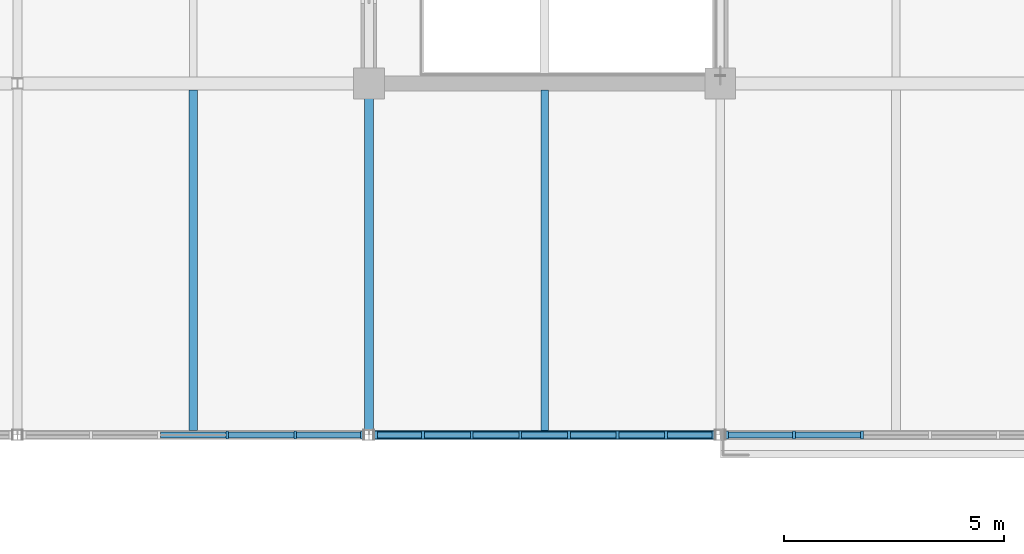
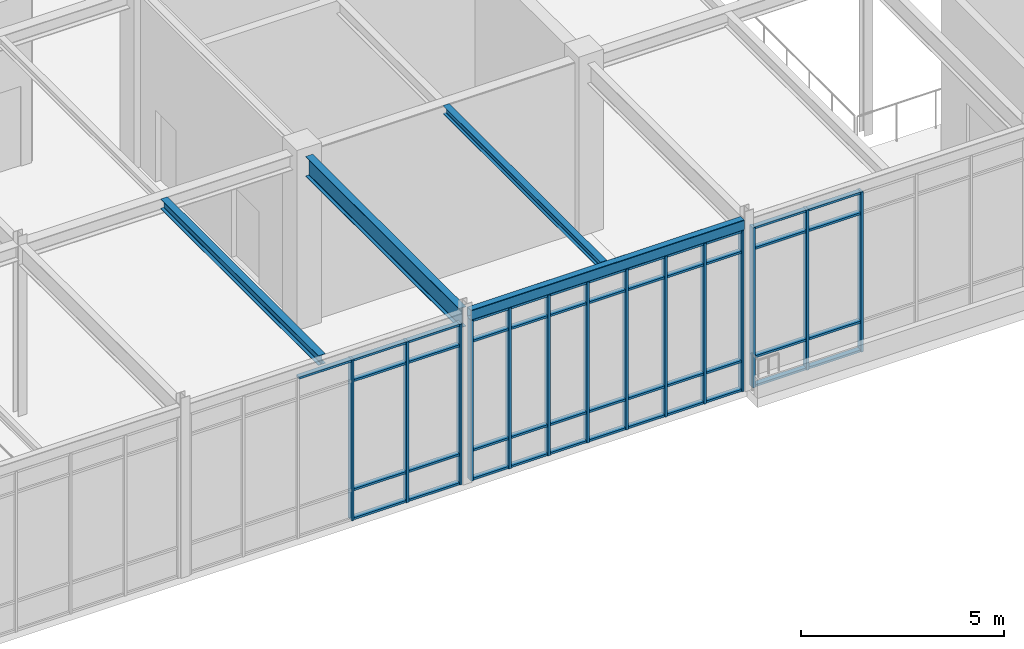
# One storey, part 52 of 184: 59 members, 4 beams, 3 elements without a shape of their own.
"""IFC4 building model written with IfcOpenShell, lengths in metres."""

from ifc_helpers import new_model, si_unit, direction, frame, origin, origin_2d, place, context, subcontext, project, spatial, rectangle, hollow_rectangle, i_section, extrude, material, material_profile, profile_set, type_object, element, aggregate, save


model = new_model("IFC4")

# Units and contexts
model_context = context("Model", 3, precision=1e-05, world=origin(), true_north=direction((0.0, 1.0)))
body_context = subcontext(model_context, "Body", "Model", "MODEL_VIEW")
ifc_project = project(units=[si_unit("LENGTHUNIT", "METRE"), si_unit("AREAUNIT", "SQUARE_METRE"), si_unit("VOLUMEUNIT", "CUBIC_METRE"), si_unit("PLANEANGLEUNIT", "RADIAN"), si_unit("MASSUNIT", "GRAM", prefix="KILO")], contexts=[model_context])

# Site, building, storey
site_placement = place(None, origin())
site = spatial("IfcSite", under=ifc_project, at=site_placement, CompositionType="ELEMENT")
building_placement = place(site_placement, origin())
building = spatial("IfcBuilding", under=site, at=building_placement, Name="Zhaolan Boulevard Law Courts", CompositionType="ELEMENT")
storey_placement = place(building_placement, frame((0.0, 0.0, 5.39990234375)))
storey = spatial("IfcBuildingStorey", under=building, at=storey_placement, Name="L01", CompositionType="ELEMENT", Elevation=5.39990234375)

# Curtain wall, members
ifc_material_1 = material(Name="Thermally broken aluminium and low-E glazing", Category="aluminium")
curtain_wall_type_1 = type_object("IfcCurtainWallType", Name="CURTAIN WALL M17", PredefinedType="USERDEFINED", material=ifc_material_1)
curtain_wall_1_placement = place(storey_placement, origin())
curtain_wall_1 = element("IfcCurtainWall", 1, at=curtain_wall_1_placement, inside=storey, type_object=curtain_wall_type_1, Name="Curtain Wall CW-L01-041", ObjectType="CURTAIN WALL", PredefinedType="USERDEFINED")
ifc_material_2 = material(Name="Fluorocarbon-coated aluminium 6063-T6", Category="aluminium")
ifc_material_profile_1 = material_profile(ifc_material_2, rectangle(XDim=0.179931640625, YDim=0.06494140625, at=origin_2d()), Name="AL65x180")
ifc_profile_set_1 = profile_set([ifc_material_profile_1], Name="Fluorocarbon-coated aluminium 6063-T6")
member_type_1 = type_object("IfcMemberType", Name="CWMULLION 65X180", PredefinedType="MULLION", material=ifc_profile_set_1)
member_1_placement = place(storey_placement, frame((112.774658203125, 6.0, 0.0), z_axis=(0.0, 0.0, 1.0), x_axis=(0.0, 1.0, 0.0)))
member_1 = element("IfcMember", 2, at=member_1_placement, type_object=member_type_1, Name="CW-L01-041 mullion 4", PredefinedType="MULLION", context=body_context, shape_type="SweptSolid", body=[
    extrude(rectangle(XDim=0.179931640625, YDim=0.06494140625, at=origin_2d()), origin(), (0.0, 0.0, 1.0), 4.822998046875),
])
member_2_placement = place(storey_placement, frame((114.32373046875, 6.0, 0.0), z_axis=(0.0, 0.0, 1.0), x_axis=(0.0, 1.0, 0.0)))
member_2 = element("IfcMember", 3, at=member_2_placement, type_object=member_type_1, Name="CW-L01-041 mullion 5", PredefinedType="MULLION", context=body_context, shape_type="SweptSolid", body=[
    extrude(rectangle(XDim=0.179931640625, YDim=0.06494140625, at=origin_2d()), origin(), (0.0, 0.0, 1.0), 4.822998046875),
])
member_3_placement = place(storey_placement, frame((115.840576171875, 6.0, 0.0), z_axis=(0.0, 0.0, 1.0), x_axis=(0.0, 1.0, 0.0)))
member_3 = element("IfcMember", 4, at=member_3_placement, type_object=member_type_1, Name="CW-L01-041 mullion 6", PredefinedType="MULLION", context=body_context, shape_type="SweptSolid", body=[
    extrude(rectangle(XDim=0.179931640625, YDim=0.06494140625, at=origin_2d()), origin(), (0.0, 0.0, 1.0), 4.822998046875),
])

ifc_material_3 = material(Name="Thermally broken aluminium and low-E glazing", Category="aluminium")
curtain_wall_type_2 = type_object("IfcCurtainWallType", Name="CURTAIN WALL M18", PredefinedType="USERDEFINED", material=ifc_material_3)
curtain_wall_2_placement = place(storey_placement, origin())
curtain_wall_2 = element("IfcCurtainWall", 5, at=curtain_wall_2_placement, inside=storey, type_object=curtain_wall_type_2, Name="Curtain Wall CW-L01-042", ObjectType="CURTAIN WALL", PredefinedType="USERDEFINED")
member_4_placement = place(storey_placement, frame((116.159423828125, 6.0, 0.0), z_axis=(0.0, 0.0, 1.0), x_axis=(0.0, 1.0, 0.0)))
member_4 = element("IfcMember", 6, at=member_4_placement, type_object=member_type_1, Name="CW-L01-042 mullion 1", PredefinedType="MULLION", context=body_context, shape_type="SweptSolid", body=[
    extrude(rectangle(XDim=0.179931640625, YDim=0.06494140625, at=origin_2d()), origin(), (0.0, 0.0, 1.0), 4.822998046875),
])
member_5_placement = place(storey_placement, frame((117.233642578125, 6.0, 0.0), z_axis=(0.0, 0.0, 1.0), x_axis=(0.0, 1.0, 0.0)))
member_5 = element("IfcMember", 7, at=member_5_placement, type_object=member_type_1, Name="CW-L01-042 mullion 2", PredefinedType="MULLION", context=body_context, shape_type="SweptSolid", body=[
    extrude(rectangle(XDim=0.179931640625, YDim=0.06494140625, at=origin_2d()), origin(), (0.0, 0.0, 1.0), 4.822998046875),
])
member_6_placement = place(storey_placement, frame((118.340087890625, 6.0, 0.0), z_axis=(0.0, 0.0, 1.0), x_axis=(0.0, 1.0, 0.0)))
member_6 = element("IfcMember", 8, at=member_6_placement, type_object=member_type_1, Name="CW-L01-042 mullion 3", PredefinedType="MULLION", context=body_context, shape_type="SweptSolid", body=[
    extrude(rectangle(XDim=0.179931640625, YDim=0.06494140625, at=origin_2d()), origin(), (0.0, 0.0, 1.0), 4.822998046875),
])
member_7_placement = place(storey_placement, frame((119.44677734375, 6.0, 0.0), z_axis=(0.0, 0.0, 1.0), x_axis=(0.0, 1.0, 0.0)))
member_7 = element("IfcMember", 9, at=member_7_placement, type_object=member_type_1, Name="CW-L01-042 mullion 4", PredefinedType="MULLION", context=body_context, shape_type="SweptSolid", body=[
    extrude(rectangle(XDim=0.179931640625, YDim=0.06494140625, at=origin_2d()), origin(), (0.0, 0.0, 1.0), 4.822998046875),
])
member_8_placement = place(storey_placement, frame((120.55322265625, 6.0, 0.0), z_axis=(0.0, 0.0, 1.0), x_axis=(0.0, 1.0, 0.0)))
member_8 = element("IfcMember", 10, at=member_8_placement, type_object=member_type_1, Name="CW-L01-042 mullion 5", PredefinedType="MULLION", context=body_context, shape_type="SweptSolid", body=[
    extrude(rectangle(XDim=0.179931640625, YDim=0.06494140625, at=origin_2d()), origin(), (0.0, 0.0, 1.0), 4.822998046875),
])
member_9_placement = place(storey_placement, frame((121.659912109375, 6.0, 0.0), z_axis=(0.0, 0.0, 1.0), x_axis=(0.0, 1.0, 0.0)))
member_9 = element("IfcMember", 11, at=member_9_placement, type_object=member_type_1, Name="CW-L01-042 mullion 6", PredefinedType="MULLION", context=body_context, shape_type="SweptSolid", body=[
    extrude(rectangle(XDim=0.179931640625, YDim=0.06494140625, at=origin_2d()), origin(), (0.0, 0.0, 1.0), 4.822998046875),
])
member_10_placement = place(storey_placement, frame((122.766357421875, 6.0, 0.0), z_axis=(0.0, 0.0, 1.0), x_axis=(0.0, 1.0, 0.0)))
member_10 = element("IfcMember", 12, at=member_10_placement, type_object=member_type_1, Name="CW-L01-042 mullion 7", PredefinedType="MULLION", context=body_context, shape_type="SweptSolid", body=[
    extrude(rectangle(XDim=0.179931640625, YDim=0.06494140625, at=origin_2d()), origin(), (0.0, 0.0, 1.0), 4.822998046875),
])
member_11_placement = place(storey_placement, frame((123.840576171875, 6.0, 0.0), z_axis=(0.0, 0.0, 1.0), x_axis=(0.0, 1.0, 0.0)))
member_11 = element("IfcMember", 13, at=member_11_placement, type_object=member_type_1, Name="CW-L01-042 mullion 8", PredefinedType="MULLION", context=body_context, shape_type="SweptSolid", body=[
    extrude(rectangle(XDim=0.179931640625, YDim=0.06494140625, at=origin_2d()), origin(), (0.0, 0.0, 1.0), 4.822998046875),
])

ifc_material_4 = material(Name="Thermally broken aluminium and low-E glazing", Category="aluminium")
curtain_wall_type_3 = type_object("IfcCurtainWallType", Name="CURTAIN WALL M8", PredefinedType="USERDEFINED", material=ifc_material_4)
curtain_wall_3_placement = place(storey_placement, origin())
curtain_wall_3 = element("IfcCurtainWall", 14, at=curtain_wall_3_placement, inside=storey, type_object=curtain_wall_type_3, Name="Curtain Wall CW-L01-056", ObjectType="CURTAIN WALL", PredefinedType="USERDEFINED")
member_12_placement = place(storey_placement, frame((124.159423828125, 6.0, 0.0), z_axis=(0.0, 0.0, 1.0), x_axis=(0.0, 1.0, 0.0)))
member_12 = element("IfcMember", 15, at=member_12_placement, type_object=member_type_1, Name="CW-L01-056 mullion 1", PredefinedType="MULLION", context=body_context, shape_type="SweptSolid", body=[
    extrude(rectangle(XDim=0.179931640625, YDim=0.06494140625, at=origin_2d()), origin(), (0.0, 0.0, 1.0), 4.802978515625),
])
member_13_placement = place(storey_placement, frame((125.67626953125, 6.0, 0.0), z_axis=(0.0, 0.0, 1.0), x_axis=(0.0, 1.0, 0.0)))
member_13 = element("IfcMember", 16, at=member_13_placement, type_object=member_type_1, Name="CW-L01-056 mullion 2", PredefinedType="MULLION", context=body_context, shape_type="SweptSolid", body=[
    extrude(rectangle(XDim=0.179931640625, YDim=0.06494140625, at=origin_2d()), origin(), (0.0, 0.0, 1.0), 4.802978515625),
])
member_14_placement = place(storey_placement, frame((127.225341796875, 6.0, 0.0), z_axis=(0.0, 0.0, 1.0), x_axis=(0.0, 1.0, 0.0)))
member_14 = element("IfcMember", 17, at=member_14_placement, type_object=member_type_1, Name="CW-L01-056 mullion 3", PredefinedType="MULLION", context=body_context, shape_type="SweptSolid", body=[
    extrude(rectangle(XDim=0.179931640625, YDim=0.06494140625, at=origin_2d()), origin(), (0.0, 0.0, 1.0), 4.802978515625),
])

# Member
ifc_material_5 = material(Name="Fluorocarbon-coated aluminium 6063-T6", Category="aluminium")
ifc_material_profile_2 = material_profile(ifc_material_5, rectangle(XDim=0.139892578125, YDim=0.06494140625, at=origin_2d()), Name="AL65x140")
ifc_profile_set_2 = profile_set([ifc_material_profile_2], Name="Fluorocarbon-coated aluminium 6063-T6")
member_type_2 = type_object("IfcMemberType", Name="CWTRANSOM 65X140", PredefinedType="USERDEFINED", material=ifc_profile_set_2)
member_15_placement = place(storey_placement, frame((111.2578125, 6.0, 4.79052734375), z_axis=(1.0, 0.0, 0.0), x_axis=(0.0, 1.0, 0.0)))
member_15 = element("IfcMember", 18, at=member_15_placement, type_object=member_type_2, Name="CW-L01-041 transom 3.4", ObjectType="TRANSOM", PredefinedType="USERDEFINED", context=body_context, shape_type="SweptSolid", body=[
    extrude(rectangle(XDim=0.139892578125, YDim=0.06494140625, at=origin_2d()), origin(), (0.0, 0.0, 1.0), 1.484375),
])

member_16_placement = place(storey_placement, frame((112.80712890625, 6.0, 0.03271484375), z_axis=(1.0, 0.0, 0.0), x_axis=(0.0, 1.0, 0.0)))
member_16 = element("IfcMember", 19, at=member_16_placement, type_object=member_type_2, Name="CW-L01-041 transom 4.1", ObjectType="TRANSOM", PredefinedType="USERDEFINED", context=body_context, shape_type="SweptSolid", body=[
    extrude(rectangle(XDim=0.139892578125, YDim=0.06494140625, at=origin_2d()), origin(), (0.0, 0.0, 1.0), 1.484130859375),
])

member_17_placement = place(storey_placement, frame((112.80712890625, 6.0, 0.900146484375), z_axis=(1.0, 0.0, 0.0), x_axis=(0.0, 1.0, 0.0)))
member_17 = element("IfcMember", 20, at=member_17_placement, type_object=member_type_2, Name="CW-L01-041 transom 4.2", ObjectType="TRANSOM", PredefinedType="USERDEFINED", context=body_context, shape_type="SweptSolid", body=[
    extrude(rectangle(XDim=0.139892578125, YDim=0.06494140625, at=origin_2d()), origin(), (0.0, 0.0, 1.0), 1.484130859375),
])

member_18_placement = place(storey_placement, frame((112.80712890625, 6.0, 4.173095703125), z_axis=(1.0, 0.0, 0.0), x_axis=(0.0, 1.0, 0.0)))
member_18 = element("IfcMember", 21, at=member_18_placement, type_object=member_type_2, Name="CW-L01-041 transom 4.3", ObjectType="TRANSOM", PredefinedType="USERDEFINED", context=body_context, shape_type="SweptSolid", body=[
    extrude(rectangle(XDim=0.139892578125, YDim=0.06494140625, at=origin_2d()), origin(), (0.0, 0.0, 1.0), 1.484130859375),
])

member_19_placement = place(storey_placement, frame((112.80712890625, 6.0, 4.79052734375), z_axis=(1.0, 0.0, 0.0), x_axis=(0.0, 1.0, 0.0)))
member_19 = element("IfcMember", 22, at=member_19_placement, type_object=member_type_2, Name="CW-L01-041 transom 4.4", ObjectType="TRANSOM", PredefinedType="USERDEFINED", context=body_context, shape_type="SweptSolid", body=[
    extrude(rectangle(XDim=0.139892578125, YDim=0.06494140625, at=origin_2d()), origin(), (0.0, 0.0, 1.0), 1.484130859375),
])

member_20_placement = place(storey_placement, frame((114.356201171875, 6.0, 0.03271484375), z_axis=(1.0, 0.0, 0.0), x_axis=(0.0, 1.0, 0.0)))
member_20 = element("IfcMember", 23, at=member_20_placement, type_object=member_type_2, Name="CW-L01-041 transom 5.1", ObjectType="TRANSOM", PredefinedType="USERDEFINED", context=body_context, shape_type="SweptSolid", body=[
    extrude(rectangle(XDim=0.139892578125, YDim=0.06494140625, at=origin_2d()), origin(), (0.0, 0.0, 1.0), 1.451904296875),
])

member_21_placement = place(storey_placement, frame((114.356201171875, 6.0, 0.900146484375), z_axis=(1.0, 0.0, 0.0), x_axis=(0.0, 1.0, 0.0)))
member_21 = element("IfcMember", 24, at=member_21_placement, type_object=member_type_2, Name="CW-L01-041 transom 5.2", ObjectType="TRANSOM", PredefinedType="USERDEFINED", context=body_context, shape_type="SweptSolid", body=[
    extrude(rectangle(XDim=0.139892578125, YDim=0.06494140625, at=origin_2d()), origin(), (0.0, 0.0, 1.0), 1.451904296875),
])

member_22_placement = place(storey_placement, frame((114.356201171875, 6.0, 4.173095703125), z_axis=(1.0, 0.0, 0.0), x_axis=(0.0, 1.0, 0.0)))
member_22 = element("IfcMember", 25, at=member_22_placement, type_object=member_type_2, Name="CW-L01-041 transom 5.3", ObjectType="TRANSOM", PredefinedType="USERDEFINED", context=body_context, shape_type="SweptSolid", body=[
    extrude(rectangle(XDim=0.139892578125, YDim=0.06494140625, at=origin_2d()), origin(), (0.0, 0.0, 1.0), 1.451904296875),
])

member_23_placement = place(storey_placement, frame((114.356201171875, 6.0, 4.79052734375), z_axis=(1.0, 0.0, 0.0), x_axis=(0.0, 1.0, 0.0)))
member_23 = element("IfcMember", 26, at=member_23_placement, type_object=member_type_2, Name="CW-L01-041 transom 5.4", ObjectType="TRANSOM", PredefinedType="USERDEFINED", context=body_context, shape_type="SweptSolid", body=[
    extrude(rectangle(XDim=0.139892578125, YDim=0.06494140625, at=origin_2d()), origin(), (0.0, 0.0, 1.0), 1.451904296875),
])

aggregate(curtain_wall_1, [member_1, member_2, member_3, member_15, member_16, member_17, member_18, member_19, member_20, member_21, member_22, member_23])

member_24_placement = place(storey_placement, frame((116.19189453125, 6.0, 0.03271484375), z_axis=(1.0, 0.0, 0.0), x_axis=(0.0, 1.0, 0.0)))
member_24 = element("IfcMember", 27, at=member_24_placement, type_object=member_type_2, Name="CW-L01-042 transom 1.1", ObjectType="TRANSOM", PredefinedType="USERDEFINED", context=body_context, shape_type="SweptSolid", body=[
    extrude(rectangle(XDim=0.139892578125, YDim=0.06494140625, at=origin_2d()), origin(), (0.0, 0.0, 1.0), 1.00927734375),
])

member_25_placement = place(storey_placement, frame((116.19189453125, 6.0, 0.900146484375), z_axis=(1.0, 0.0, 0.0), x_axis=(0.0, 1.0, 0.0)))
member_25 = element("IfcMember", 28, at=member_25_placement, type_object=member_type_2, Name="CW-L01-042 transom 1.2", ObjectType="TRANSOM", PredefinedType="USERDEFINED", context=body_context, shape_type="SweptSolid", body=[
    extrude(rectangle(XDim=0.139892578125, YDim=0.06494140625, at=origin_2d()), origin(), (0.0, 0.0, 1.0), 1.00927734375),
])

member_26_placement = place(storey_placement, frame((116.19189453125, 6.0, 4.173095703125), z_axis=(1.0, 0.0, 0.0), x_axis=(0.0, 1.0, 0.0)))
member_26 = element("IfcMember", 29, at=member_26_placement, type_object=member_type_2, Name="CW-L01-042 transom 1.3", ObjectType="TRANSOM", PredefinedType="USERDEFINED", context=body_context, shape_type="SweptSolid", body=[
    extrude(rectangle(XDim=0.139892578125, YDim=0.06494140625, at=origin_2d()), origin(), (0.0, 0.0, 1.0), 1.00927734375),
])

member_27_placement = place(storey_placement, frame((116.19189453125, 6.0, 4.79052734375), z_axis=(1.0, 0.0, 0.0), x_axis=(0.0, 1.0, 0.0)))
member_27 = element("IfcMember", 30, at=member_27_placement, type_object=member_type_2, Name="CW-L01-042 transom 1.4", ObjectType="TRANSOM", PredefinedType="USERDEFINED", context=body_context, shape_type="SweptSolid", body=[
    extrude(rectangle(XDim=0.139892578125, YDim=0.06494140625, at=origin_2d()), origin(), (0.0, 0.0, 1.0), 1.00927734375),
])

member_28_placement = place(storey_placement, frame((117.26611328125, 6.0, 0.03271484375), z_axis=(1.0, 0.0, 0.0), x_axis=(0.0, 1.0, 0.0)))
member_28 = element("IfcMember", 31, at=member_28_placement, type_object=member_type_2, Name="CW-L01-042 transom 2.1", ObjectType="TRANSOM", PredefinedType="USERDEFINED", context=body_context, shape_type="SweptSolid", body=[
    extrude(rectangle(XDim=0.139892578125, YDim=0.06494140625, at=origin_2d()), origin(), (0.0, 0.0, 1.0), 1.04150390625),
])

member_29_placement = place(storey_placement, frame((117.26611328125, 6.0, 0.900146484375), z_axis=(1.0, 0.0, 0.0), x_axis=(0.0, 1.0, 0.0)))
member_29 = element("IfcMember", 32, at=member_29_placement, type_object=member_type_2, Name="CW-L01-042 transom 2.2", ObjectType="TRANSOM", PredefinedType="USERDEFINED", context=body_context, shape_type="SweptSolid", body=[
    extrude(rectangle(XDim=0.139892578125, YDim=0.06494140625, at=origin_2d()), origin(), (0.0, 0.0, 1.0), 1.04150390625),
])

member_30_placement = place(storey_placement, frame((117.26611328125, 6.0, 4.173095703125), z_axis=(1.0, 0.0, 0.0), x_axis=(0.0, 1.0, 0.0)))
member_30 = element("IfcMember", 33, at=member_30_placement, type_object=member_type_2, Name="CW-L01-042 transom 2.3", ObjectType="TRANSOM", PredefinedType="USERDEFINED", context=body_context, shape_type="SweptSolid", body=[
    extrude(rectangle(XDim=0.139892578125, YDim=0.06494140625, at=origin_2d()), origin(), (0.0, 0.0, 1.0), 1.04150390625),
])

member_31_placement = place(storey_placement, frame((117.26611328125, 6.0, 4.79052734375), z_axis=(1.0, 0.0, 0.0), x_axis=(0.0, 1.0, 0.0)))
member_31 = element("IfcMember", 34, at=member_31_placement, type_object=member_type_2, Name="CW-L01-042 transom 2.4", ObjectType="TRANSOM", PredefinedType="USERDEFINED", context=body_context, shape_type="SweptSolid", body=[
    extrude(rectangle(XDim=0.139892578125, YDim=0.06494140625, at=origin_2d()), origin(), (0.0, 0.0, 1.0), 1.04150390625),
])

member_32_placement = place(storey_placement, frame((118.37255859375, 6.0, 0.03271484375), z_axis=(1.0, 0.0, 0.0), x_axis=(0.0, 1.0, 0.0)))
member_32 = element("IfcMember", 35, at=member_32_placement, type_object=member_type_2, Name="CW-L01-042 transom 3.1", ObjectType="TRANSOM", PredefinedType="USERDEFINED", context=body_context, shape_type="SweptSolid", body=[
    extrude(rectangle(XDim=0.139892578125, YDim=0.06494140625, at=origin_2d()), origin(), (0.0, 0.0, 1.0), 1.041748046875),
])

member_33_placement = place(storey_placement, frame((118.37255859375, 6.0, 0.900146484375), z_axis=(1.0, 0.0, 0.0), x_axis=(0.0, 1.0, 0.0)))
member_33 = element("IfcMember", 36, at=member_33_placement, type_object=member_type_2, Name="CW-L01-042 transom 3.2", ObjectType="TRANSOM", PredefinedType="USERDEFINED", context=body_context, shape_type="SweptSolid", body=[
    extrude(rectangle(XDim=0.139892578125, YDim=0.06494140625, at=origin_2d()), origin(), (0.0, 0.0, 1.0), 1.041748046875),
])

member_34_placement = place(storey_placement, frame((118.37255859375, 6.0, 4.173095703125), z_axis=(1.0, 0.0, 0.0), x_axis=(0.0, 1.0, 0.0)))
member_34 = element("IfcMember", 37, at=member_34_placement, type_object=member_type_2, Name="CW-L01-042 transom 3.3", ObjectType="TRANSOM", PredefinedType="USERDEFINED", context=body_context, shape_type="SweptSolid", body=[
    extrude(rectangle(XDim=0.139892578125, YDim=0.06494140625, at=origin_2d()), origin(), (0.0, 0.0, 1.0), 1.041748046875),
])

member_35_placement = place(storey_placement, frame((118.37255859375, 6.0, 4.79052734375), z_axis=(1.0, 0.0, 0.0), x_axis=(0.0, 1.0, 0.0)))
member_35 = element("IfcMember", 38, at=member_35_placement, type_object=member_type_2, Name="CW-L01-042 transom 3.4", ObjectType="TRANSOM", PredefinedType="USERDEFINED", context=body_context, shape_type="SweptSolid", body=[
    extrude(rectangle(XDim=0.139892578125, YDim=0.06494140625, at=origin_2d()), origin(), (0.0, 0.0, 1.0), 1.041748046875),
])

member_36_placement = place(storey_placement, frame((119.479248046875, 6.0, 0.03271484375), z_axis=(1.0, 0.0, 0.0), x_axis=(0.0, 1.0, 0.0)))
member_36 = element("IfcMember", 39, at=member_36_placement, type_object=member_type_2, Name="CW-L01-042 transom 4.1", ObjectType="TRANSOM", PredefinedType="USERDEFINED", context=body_context, shape_type="SweptSolid", body=[
    extrude(rectangle(XDim=0.139892578125, YDim=0.06494140625, at=origin_2d()), origin(), (0.0, 0.0, 1.0), 1.04150390625),
])

member_37_placement = place(storey_placement, frame((119.479248046875, 6.0, 0.900146484375), z_axis=(1.0, 0.0, 0.0), x_axis=(0.0, 1.0, 0.0)))
member_37 = element("IfcMember", 40, at=member_37_placement, type_object=member_type_2, Name="CW-L01-042 transom 4.2", ObjectType="TRANSOM", PredefinedType="USERDEFINED", context=body_context, shape_type="SweptSolid", body=[
    extrude(rectangle(XDim=0.139892578125, YDim=0.06494140625, at=origin_2d()), origin(), (0.0, 0.0, 1.0), 1.04150390625),
])

member_38_placement = place(storey_placement, frame((119.479248046875, 6.0, 4.173095703125), z_axis=(1.0, 0.0, 0.0), x_axis=(0.0, 1.0, 0.0)))
member_38 = element("IfcMember", 41, at=member_38_placement, type_object=member_type_2, Name="CW-L01-042 transom 4.3", ObjectType="TRANSOM", PredefinedType="USERDEFINED", context=body_context, shape_type="SweptSolid", body=[
    extrude(rectangle(XDim=0.139892578125, YDim=0.06494140625, at=origin_2d()), origin(), (0.0, 0.0, 1.0), 1.04150390625),
])

member_39_placement = place(storey_placement, frame((119.479248046875, 6.0, 4.79052734375), z_axis=(1.0, 0.0, 0.0), x_axis=(0.0, 1.0, 0.0)))
member_39 = element("IfcMember", 42, at=member_39_placement, type_object=member_type_2, Name="CW-L01-042 transom 4.4", ObjectType="TRANSOM", PredefinedType="USERDEFINED", context=body_context, shape_type="SweptSolid", body=[
    extrude(rectangle(XDim=0.139892578125, YDim=0.06494140625, at=origin_2d()), origin(), (0.0, 0.0, 1.0), 1.04150390625),
])

member_40_placement = place(storey_placement, frame((120.585693359375, 6.0, 0.03271484375), z_axis=(1.0, 0.0, 0.0), x_axis=(0.0, 1.0, 0.0)))
member_40 = element("IfcMember", 43, at=member_40_placement, type_object=member_type_2, Name="CW-L01-042 transom 5.1", ObjectType="TRANSOM", PredefinedType="USERDEFINED", context=body_context, shape_type="SweptSolid", body=[
    extrude(rectangle(XDim=0.139892578125, YDim=0.06494140625, at=origin_2d()), origin(), (0.0, 0.0, 1.0), 1.041748046875),
])

member_41_placement = place(storey_placement, frame((120.585693359375, 6.0, 0.900146484375), z_axis=(1.0, 0.0, 0.0), x_axis=(0.0, 1.0, 0.0)))
member_41 = element("IfcMember", 44, at=member_41_placement, type_object=member_type_2, Name="CW-L01-042 transom 5.2", ObjectType="TRANSOM", PredefinedType="USERDEFINED", context=body_context, shape_type="SweptSolid", body=[
    extrude(rectangle(XDim=0.139892578125, YDim=0.06494140625, at=origin_2d()), origin(), (0.0, 0.0, 1.0), 1.041748046875),
])

member_42_placement = place(storey_placement, frame((120.585693359375, 6.0, 4.173095703125), z_axis=(1.0, 0.0, 0.0), x_axis=(0.0, 1.0, 0.0)))
member_42 = element("IfcMember", 45, at=member_42_placement, type_object=member_type_2, Name="CW-L01-042 transom 5.3", ObjectType="TRANSOM", PredefinedType="USERDEFINED", context=body_context, shape_type="SweptSolid", body=[
    extrude(rectangle(XDim=0.139892578125, YDim=0.06494140625, at=origin_2d()), origin(), (0.0, 0.0, 1.0), 1.041748046875),
])

member_43_placement = place(storey_placement, frame((120.585693359375, 6.0, 4.79052734375), z_axis=(1.0, 0.0, 0.0), x_axis=(0.0, 1.0, 0.0)))
member_43 = element("IfcMember", 46, at=member_43_placement, type_object=member_type_2, Name="CW-L01-042 transom 5.4", ObjectType="TRANSOM", PredefinedType="USERDEFINED", context=body_context, shape_type="SweptSolid", body=[
    extrude(rectangle(XDim=0.139892578125, YDim=0.06494140625, at=origin_2d()), origin(), (0.0, 0.0, 1.0), 1.041748046875),
])

member_44_placement = place(storey_placement, frame((121.6923828125, 6.0, 0.03271484375), z_axis=(1.0, 0.0, 0.0), x_axis=(0.0, 1.0, 0.0)))
member_44 = element("IfcMember", 47, at=member_44_placement, type_object=member_type_2, Name="CW-L01-042 transom 6.1", ObjectType="TRANSOM", PredefinedType="USERDEFINED", context=body_context, shape_type="SweptSolid", body=[
    extrude(rectangle(XDim=0.139892578125, YDim=0.06494140625, at=origin_2d()), origin(), (0.0, 0.0, 1.0), 1.04150390625),
])

member_45_placement = place(storey_placement, frame((121.6923828125, 6.0, 0.900146484375), z_axis=(1.0, 0.0, 0.0), x_axis=(0.0, 1.0, 0.0)))
member_45 = element("IfcMember", 48, at=member_45_placement, type_object=member_type_2, Name="CW-L01-042 transom 6.2", ObjectType="TRANSOM", PredefinedType="USERDEFINED", context=body_context, shape_type="SweptSolid", body=[
    extrude(rectangle(XDim=0.139892578125, YDim=0.06494140625, at=origin_2d()), origin(), (0.0, 0.0, 1.0), 1.04150390625),
])

member_46_placement = place(storey_placement, frame((121.6923828125, 6.0, 4.173095703125), z_axis=(1.0, 0.0, 0.0), x_axis=(0.0, 1.0, 0.0)))
member_46 = element("IfcMember", 49, at=member_46_placement, type_object=member_type_2, Name="CW-L01-042 transom 6.3", ObjectType="TRANSOM", PredefinedType="USERDEFINED", context=body_context, shape_type="SweptSolid", body=[
    extrude(rectangle(XDim=0.139892578125, YDim=0.06494140625, at=origin_2d()), origin(), (0.0, 0.0, 1.0), 1.04150390625),
])

member_47_placement = place(storey_placement, frame((121.6923828125, 6.0, 4.79052734375), z_axis=(1.0, 0.0, 0.0), x_axis=(0.0, 1.0, 0.0)))
member_47 = element("IfcMember", 50, at=member_47_placement, type_object=member_type_2, Name="CW-L01-042 transom 6.4", ObjectType="TRANSOM", PredefinedType="USERDEFINED", context=body_context, shape_type="SweptSolid", body=[
    extrude(rectangle(XDim=0.139892578125, YDim=0.06494140625, at=origin_2d()), origin(), (0.0, 0.0, 1.0), 1.04150390625),
])

member_48_placement = place(storey_placement, frame((122.798828125, 6.0, 0.03271484375), z_axis=(1.0, 0.0, 0.0), x_axis=(0.0, 1.0, 0.0)))
member_48 = element("IfcMember", 51, at=member_48_placement, type_object=member_type_2, Name="CW-L01-042 transom 7.1", ObjectType="TRANSOM", PredefinedType="USERDEFINED", context=body_context, shape_type="SweptSolid", body=[
    extrude(rectangle(XDim=0.139892578125, YDim=0.06494140625, at=origin_2d()), origin(), (0.0, 0.0, 1.0), 1.00927734375),
])

member_49_placement = place(storey_placement, frame((122.798828125, 6.0, 0.900146484375), z_axis=(1.0, 0.0, 0.0), x_axis=(0.0, 1.0, 0.0)))
member_49 = element("IfcMember", 52, at=member_49_placement, type_object=member_type_2, Name="CW-L01-042 transom 7.2", ObjectType="TRANSOM", PredefinedType="USERDEFINED", context=body_context, shape_type="SweptSolid", body=[
    extrude(rectangle(XDim=0.139892578125, YDim=0.06494140625, at=origin_2d()), origin(), (0.0, 0.0, 1.0), 1.00927734375),
])

member_50_placement = place(storey_placement, frame((122.798828125, 6.0, 4.173095703125), z_axis=(1.0, 0.0, 0.0), x_axis=(0.0, 1.0, 0.0)))
member_50 = element("IfcMember", 53, at=member_50_placement, type_object=member_type_2, Name="CW-L01-042 transom 7.3", ObjectType="TRANSOM", PredefinedType="USERDEFINED", context=body_context, shape_type="SweptSolid", body=[
    extrude(rectangle(XDim=0.139892578125, YDim=0.06494140625, at=origin_2d()), origin(), (0.0, 0.0, 1.0), 1.00927734375),
])

member_51_placement = place(storey_placement, frame((122.798828125, 6.0, 4.79052734375), z_axis=(1.0, 0.0, 0.0), x_axis=(0.0, 1.0, 0.0)))
member_51 = element("IfcMember", 54, at=member_51_placement, type_object=member_type_2, Name="CW-L01-042 transom 7.4", ObjectType="TRANSOM", PredefinedType="USERDEFINED", context=body_context, shape_type="SweptSolid", body=[
    extrude(rectangle(XDim=0.139892578125, YDim=0.06494140625, at=origin_2d()), origin(), (0.0, 0.0, 1.0), 1.00927734375),
])

aggregate(curtain_wall_2, [member_4, member_5, member_6, member_7, member_8, member_9, member_10, member_11, member_24, member_25, member_26, member_27, member_28, member_29, member_30, member_31, member_32, member_33, member_34, member_35, member_36, member_37, member_38, member_39, member_40, member_41, member_42, member_43, member_44, member_45, member_46, member_47, member_48, member_49, member_50, member_51])

member_52_placement = place(storey_placement, frame((124.19189453125, 6.0, 0.03271484375), z_axis=(1.0, 0.0, 0.0), x_axis=(0.0, 1.0, 0.0)))
member_52 = element("IfcMember", 55, at=member_52_placement, type_object=member_type_2, Name="CW-L01-056 transom 1.1", ObjectType="TRANSOM", PredefinedType="USERDEFINED", context=body_context, shape_type="SweptSolid", body=[
    extrude(rectangle(XDim=0.139892578125, YDim=0.06494140625, at=origin_2d()), origin(), (0.0, 0.0, 1.0), 1.451904296875),
])

member_53_placement = place(storey_placement, frame((124.19189453125, 6.0, 0.900146484375), z_axis=(1.0, 0.0, 0.0), x_axis=(0.0, 1.0, 0.0)))
member_53 = element("IfcMember", 56, at=member_53_placement, type_object=member_type_2, Name="CW-L01-056 transom 1.2", ObjectType="TRANSOM", PredefinedType="USERDEFINED", context=body_context, shape_type="SweptSolid", body=[
    extrude(rectangle(XDim=0.139892578125, YDim=0.06494140625, at=origin_2d()), origin(), (0.0, 0.0, 1.0), 1.451904296875),
])

member_54_placement = place(storey_placement, frame((124.19189453125, 6.0, 4.153076171875), z_axis=(1.0, 0.0, 0.0), x_axis=(0.0, 1.0, 0.0)))
member_54 = element("IfcMember", 57, at=member_54_placement, type_object=member_type_2, Name="CW-L01-056 transom 1.3", ObjectType="TRANSOM", PredefinedType="USERDEFINED", context=body_context, shape_type="SweptSolid", body=[
    extrude(rectangle(XDim=0.139892578125, YDim=0.06494140625, at=origin_2d()), origin(), (0.0, 0.0, 1.0), 1.451904296875),
])

member_55_placement = place(storey_placement, frame((124.19189453125, 6.0, 4.7705078125), z_axis=(1.0, 0.0, 0.0), x_axis=(0.0, 1.0, 0.0)))
member_55 = element("IfcMember", 58, at=member_55_placement, type_object=member_type_2, Name="CW-L01-056 transom 1.4", ObjectType="TRANSOM", PredefinedType="USERDEFINED", context=body_context, shape_type="SweptSolid", body=[
    extrude(rectangle(XDim=0.139892578125, YDim=0.06494140625, at=origin_2d()), origin(), (0.0, 0.0, 1.0), 1.451904296875),
])

member_56_placement = place(storey_placement, frame((125.708740234375, 6.0, 0.03271484375), z_axis=(1.0, 0.0, 0.0), x_axis=(0.0, 1.0, 0.0)))
member_56 = element("IfcMember", 59, at=member_56_placement, type_object=member_type_2, Name="CW-L01-056 transom 2.1", ObjectType="TRANSOM", PredefinedType="USERDEFINED", context=body_context, shape_type="SweptSolid", body=[
    extrude(rectangle(XDim=0.139892578125, YDim=0.06494140625, at=origin_2d()), origin(), (0.0, 0.0, 1.0), 1.484130859375),
])

member_57_placement = place(storey_placement, frame((125.708740234375, 6.0, 0.900146484375), z_axis=(1.0, 0.0, 0.0), x_axis=(0.0, 1.0, 0.0)))
member_57 = element("IfcMember", 60, at=member_57_placement, type_object=member_type_2, Name="CW-L01-056 transom 2.2", ObjectType="TRANSOM", PredefinedType="USERDEFINED", context=body_context, shape_type="SweptSolid", body=[
    extrude(rectangle(XDim=0.139892578125, YDim=0.06494140625, at=origin_2d()), origin(), (0.0, 0.0, 1.0), 1.484130859375),
])

member_58_placement = place(storey_placement, frame((125.708740234375, 6.0, 4.153076171875), z_axis=(1.0, 0.0, 0.0), x_axis=(0.0, 1.0, 0.0)))
member_58 = element("IfcMember", 61, at=member_58_placement, type_object=member_type_2, Name="CW-L01-056 transom 2.3", ObjectType="TRANSOM", PredefinedType="USERDEFINED", context=body_context, shape_type="SweptSolid", body=[
    extrude(rectangle(XDim=0.139892578125, YDim=0.06494140625, at=origin_2d()), origin(), (0.0, 0.0, 1.0), 1.484130859375),
])

member_59_placement = place(storey_placement, frame((125.708740234375, 6.0, 4.7705078125), z_axis=(1.0, 0.0, 0.0), x_axis=(0.0, 1.0, 0.0)))
member_59 = element("IfcMember", 62, at=member_59_placement, type_object=member_type_2, Name="CW-L01-056 transom 2.4", ObjectType="TRANSOM", PredefinedType="USERDEFINED", context=body_context, shape_type="SweptSolid", body=[
    extrude(rectangle(XDim=0.139892578125, YDim=0.06494140625, at=origin_2d()), origin(), (0.0, 0.0, 1.0), 1.484130859375),
])

aggregate(curtain_wall_3, [member_12, member_13, member_14, member_52, member_53, member_54, member_55, member_56, member_57, member_58, member_59])

# Beams
ifc_material_6 = material(Name="Structural steel Q355B", Category="steel")
ifc_material_profile_3 = material_profile(ifc_material_6, i_section(OverallWidth=0.199951171875, OverallDepth=0.60009765625, WebThickness=0.010986328125, FlangeThickness=0.01708984375, FilletRadius=0.02001953125, at=origin_2d()), Name="HN600x200")
ifc_profile_set_3 = profile_set([ifc_material_profile_3], Name="Structural steel Q355B")
beam_type_1 = type_object("IfcBeamType", Name="GIRDER HN600", PredefinedType="BEAM", material=ifc_profile_set_3)
beam_1_placement = place(storey_placement, frame((116.0, 6.12109375, 4.838134765625), z_axis=(0.0, 1.0, 0.0), x_axis=(-1.0, 0.0, 0.0)))
element("IfcBeam", 63, at=beam_1_placement, inside=storey, type_object=beam_type_1, Name="Beam BY-L02-15-B-C", PredefinedType="BEAM", context=body_context, shape_type="SweptSolid", body=[
    extrude(i_section(OverallWidth=0.199951171875, OverallDepth=0.60009765625, WebThickness=0.010986328125, FlangeThickness=0.01708984375, FilletRadius=0.02001953125, at=origin_2d()), origin(), (0.0, 0.0, 1.0), 7.532958984375),
])
ifc_material_7 = material(Name="Structural steel Q355B", Category="steel")
ifc_material_profile_4 = material_profile(ifc_material_7, i_section(OverallWidth=0.175048828125, OverallDepth=0.243896484375, WebThickness=0.007080078125, FlangeThickness=0.010986328125, FilletRadius=0.012939453125, at=origin_2d()), Name="HM244x175")
ifc_profile_set_4 = profile_set([ifc_material_profile_4], Name="Structural steel Q355B")
beam_type_2 = type_object("IfcBeamType", Name="JOIST HM244", PredefinedType="JOIST", material=ifc_profile_set_4)
beam_2_placement = place(storey_placement, frame((120.0, 6.095947265625, 5.01611328125), z_axis=(0.0, 1.0, 0.0), x_axis=(-1.0, 0.0, 0.0)))
element("IfcBeam", 64, at=beam_2_placement, inside=storey, type_object=beam_type_2, Name="Composite Joist J-L02-15B", PredefinedType="JOIST", context=body_context, shape_type="SweptSolid", body=[
    extrude(i_section(OverallWidth=0.175048828125, OverallDepth=0.243896484375, WebThickness=0.007080078125, FlangeThickness=0.010986328125, FilletRadius=0.012939453125, at=origin_2d()), origin(), (0.0, 0.0, 1.0), 7.758056640625),
])
ifc_material_8 = material(Name="Structural steel Q355B", Category="steel")
ifc_material_profile_5 = material_profile(ifc_material_8, i_section(OverallWidth=0.199951171875, OverallDepth=0.2939453125, WebThickness=0.008056640625, FlangeThickness=0.011962890625, FilletRadius=0.01611328125, at=origin_2d()), Name="HM294x200")
ifc_profile_set_5 = profile_set([ifc_material_profile_5], Name="Structural steel Q355B")
beam_type_3 = type_object("IfcBeamType", Name="JOIST HM294", PredefinedType="JOIST", material=ifc_profile_set_5)
beam_3_placement = place(storey_placement, frame((112.0, 6.095947265625, 4.9912109375), z_axis=(0.0, 1.0, 0.0), x_axis=(-1.0, 0.0, 0.0)))
element("IfcBeam", 65, at=beam_3_placement, inside=storey, type_object=beam_type_3, Name="Composite Joist J-L02-14B", PredefinedType="JOIST", context=body_context, shape_type="SweptSolid", body=[
    extrude(i_section(OverallWidth=0.199951171875, OverallDepth=0.2939453125, WebThickness=0.008056640625, FlangeThickness=0.011962890625, FilletRadius=0.01611328125, at=origin_2d()), origin(), (0.0, 0.0, 1.0), 7.758056640625),
])
ifc_material_9 = material(Name="Structural steel Q355B", Category="steel")
ifc_material_profile_6 = material_profile(ifc_material_9, hollow_rectangle(XDim=0.199951171875, YDim=0.300048828125, WallThickness=0.011962890625, InnerFilletRadius=0.011962890625, OuterFilletRadius=0.02392578125, at=origin_2d()), Name="HSS300x200x12")
ifc_profile_set_6 = profile_set([ifc_material_profile_6], Name="Structural steel Q355B")
beam_type_4 = type_object("IfcBeamType", Name="SPANDREL HSS300", PredefinedType="SPANDREL", material=ifc_profile_set_6)
beam_4_placement = place(storey_placement, frame((116.12109375, 6.0, 4.988037109375), z_axis=(1.0, 0.0, 0.0), x_axis=(0.0, 1.0, 0.0)))
element("IfcBeam", 66, at=beam_4_placement, inside=storey, type_object=beam_type_4, Name="Beam BX-L02-15-16-B", PredefinedType="SPANDREL", context=body_context, shape_type="SweptSolid", body=[
    extrude(hollow_rectangle(XDim=0.199951171875, YDim=0.300048828125, WallThickness=0.011962890625, InnerFilletRadius=0.011962890625, OuterFilletRadius=0.02392578125, at=origin_2d()), origin(), (0.0, 0.0, 1.0), 7.7578125),
])

save(model, "model.ifc")
